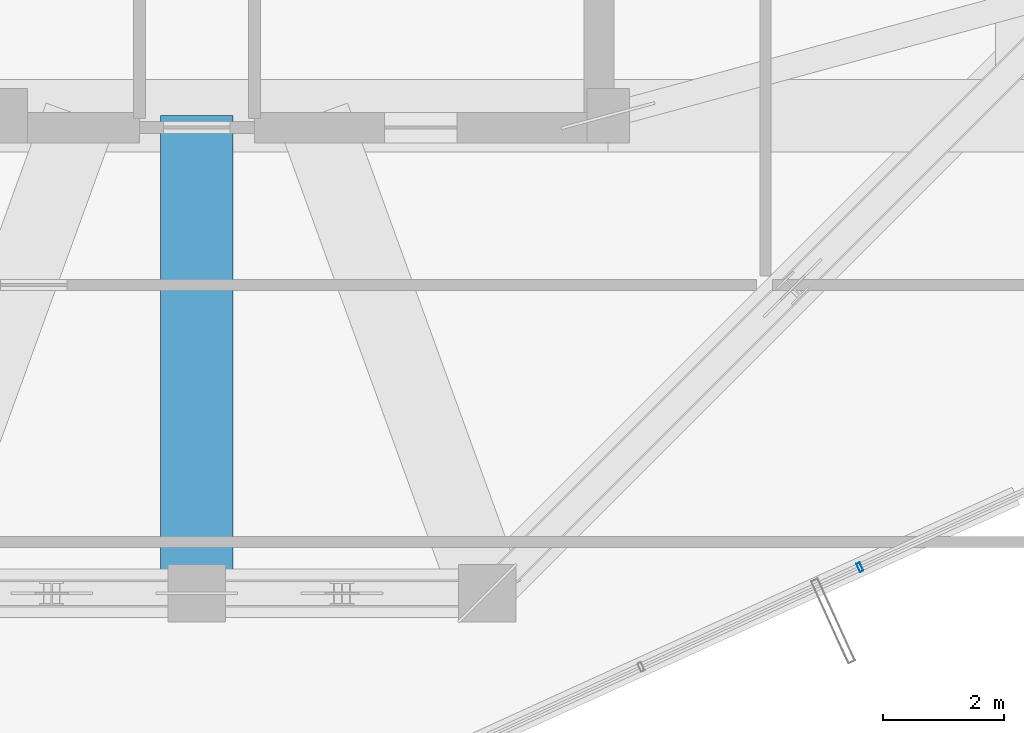
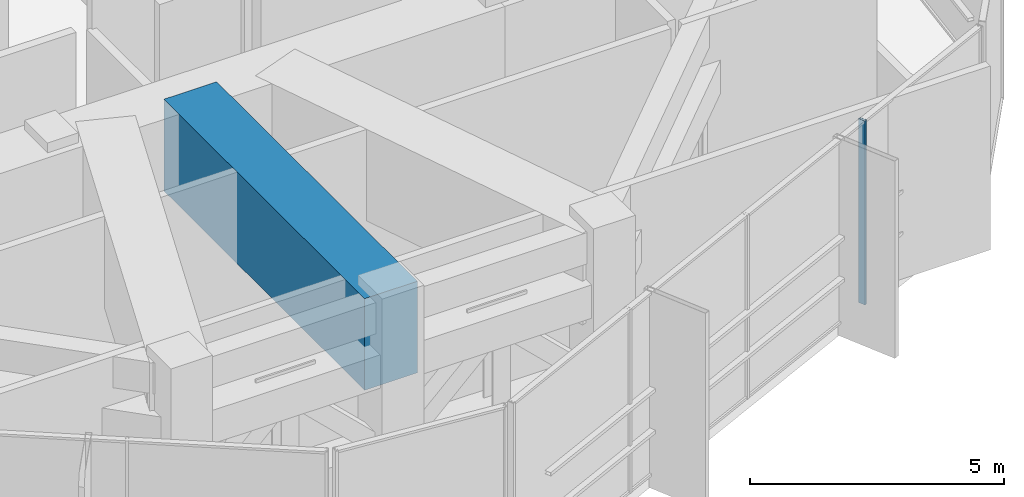
# One storey, part 8 of 31: 1 beam, 1 member, 1 element without a shape of its own.
"""IFC4 building model written with IfcOpenShell, lengths in metres."""

from ifc_helpers import new_model, si_unit, direction, frame, origin, origin_2d, place, context, subcontext, project, spatial, rectangle, hollow_rectangle, extrude, source, transform, mapped, material, layer, layer_set, material_profile, profile_set, type_object, element, aggregate, save


model = new_model("IFC4")

# Units and contexts
model_context = context("Model", 3, precision=1e-05, world=origin(), true_north=direction((0.0, 1.0)))
body_context = subcontext(model_context, "Body", "Model", "MODEL_VIEW")
ifc_project = project(units=[si_unit("LENGTHUNIT", "METRE"), si_unit("AREAUNIT", "SQUARE_METRE"), si_unit("VOLUMEUNIT", "CUBIC_METRE"), si_unit("PLANEANGLEUNIT", "RADIAN"), si_unit("MASSUNIT", "GRAM", prefix="KILO")], contexts=[model_context])

# Site, building, storey
site_placement = place(None, origin())
site = spatial("IfcSite", under=ifc_project, at=site_placement, CompositionType="ELEMENT")
building_placement = place(site_placement, origin())
building = spatial("IfcBuilding", under=site, at=building_placement, Name="Veraguas Prism Commons", CompositionType="ELEMENT")
storey_placement = place(building_placement, frame((0.0, 0.0, 225.39990234375)))
storey = spatial("IfcBuildingStorey", under=building, at=storey_placement, Name="L64", CompositionType="ELEMENT", Elevation=225.39990234375)

# Beam
ifc_material_1 = material(Name="Concrete C50/60", Category="concrete")
ifc_material_profile_1 = material_profile(ifc_material_1, rectangle(XDim=1.199951171875, YDim=2.199951171875, at=origin_2d()), Name="RC1200X2200")
ifc_profile_set_1 = profile_set([ifc_material_profile_1], Name="Concrete C50/60")
beam_type = type_object("IfcBeamType", Name="Podium Transfer Girder RC 1200x2200", PredefinedType="BEAM", material=ifc_profile_set_1)
beam_placement = place(storey_placement, frame((24.0, 9.10009765625, 3.315185546875), z_axis=(0.0, 1.0, 0.0), x_axis=(-1.0, 0.0, 0.0)))
element("IfcBeam", 1, at=beam_placement, inside=storey, type_object=beam_type, Name="Setback Transfer Girder L64-11", PredefinedType="BEAM", context=body_context, shape_type="SweptSolid", body=[
    extrude(rectangle(XDim=1.199951171875, YDim=2.199951171875, at=origin_2d()), origin(), (0.0, 0.0, 1.0), 7.89990234375),
])

# Curtain wall, member
ifc_material_2 = material(Name="Anodised aluminium EN AW-6063 T6", Category="aluminium")
ifc_layer = layer(ifc_material_2, 0.14990234375, Name="Unitised Flush Curtain Wall Zone 3", Category="aluminium")
ifc_layer_set = layer_set([ifc_layer], Name="Anodised aluminium EN AW-6063 T6")
curtain_wall_type = type_object("IfcCurtainWallType", Name="Unitised Flush Curtain Wall Zone 3", PredefinedType="NOTDEFINED", material=ifc_layer_set)
curtain_wall_placement = place(storey_placement, origin())
curtain_wall = element("IfcCurtainWall", 2, at=curtain_wall_placement, inside=storey, type_object=curtain_wall_type, Name="Tower Facade Curtain Wall L64-F5", PredefinedType="NOTDEFINED")
ifc_material_profile_2 = material_profile(ifc_material_2, hollow_rectangle(XDim=0.06005859375, YDim=0.14990234375, WallThickness=0.0029296875, at=origin_2d()), Name="AL60X150X3")
ifc_profile_set_2 = profile_set([ifc_material_profile_2], Name="Anodised aluminium EN AW-6063 T6")
member_type = type_object("IfcMemberType", Name="Curtain Wall Mullion Upper AL 60x150x3", PredefinedType="MULLION", material=ifc_profile_set_2)
shared_shape = source(origin(), body_context, "Body", "SweptSolid", [
    extrude(hollow_rectangle(XDim=0.06005859375, YDim=0.14990234375, WallThickness=0.0029296875, at=origin_2d()), origin(), (0.0, 0.0, 1.0), 4.4150390625),
])
member_placement = place(storey_placement, frame((34.9619140625, 9.532958984375, 0.0), z_axis=(0.0, 0.0, 1.0), x_axis=(0.909961994651, 0.414691654474, 0.0)))
member = element("IfcMember", 3, at=member_placement, type_object=member_type, Name="CW-Z3 Mullion 4", PredefinedType="MULLION", context=body_context, shape_type="MappedRepresentation", body=[
    mapped(shared_shape, transform((0.0, 0.0, 0.0), scale=1.0)),
])
aggregate(curtain_wall, [member])

save(model, "model.ifc")
